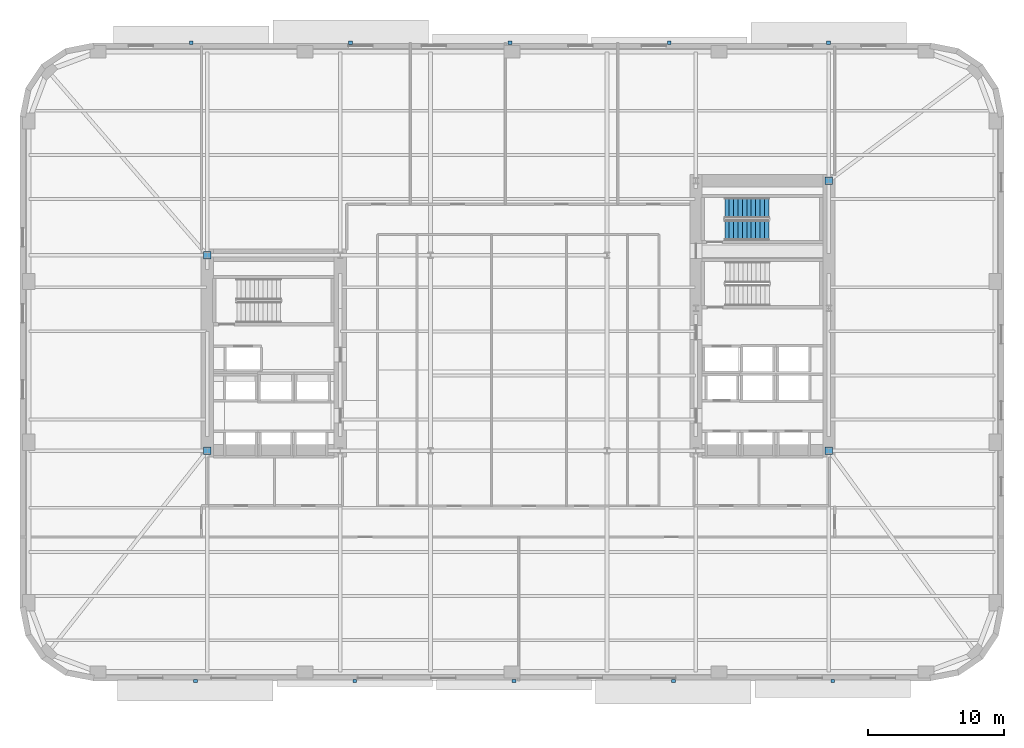
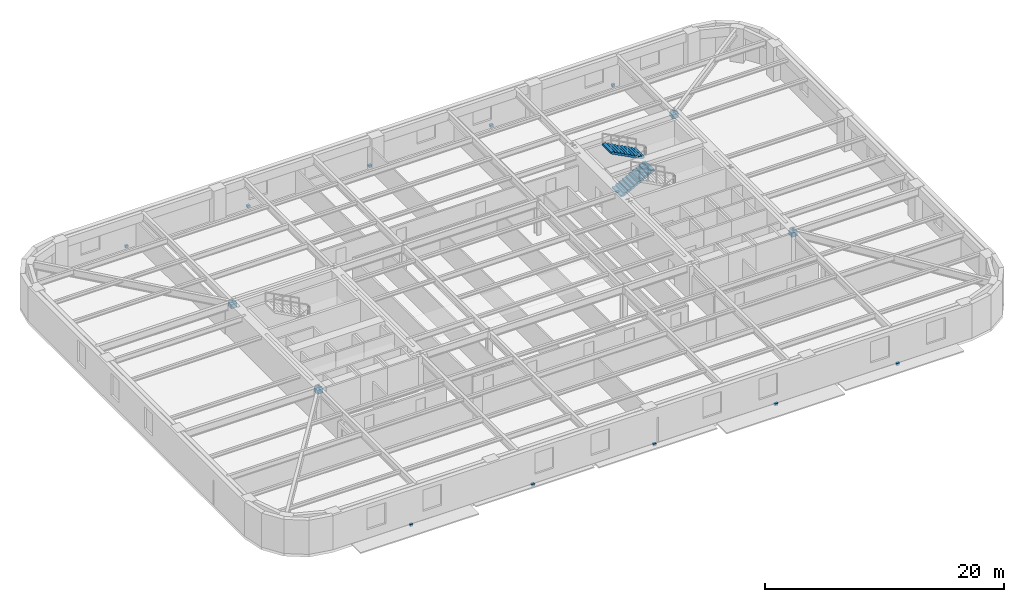
# One storey, part 8 of 14: 14 discrete accessories, 2 stair flights, 1 element without a shape of its own.
"""IFC4 building model written with IfcOpenShell, lengths in metres."""

from ifc_helpers import new_model, si_unit, direction, frame, origin, origin_2d, place, context, subcontext, project, spatial, polyline, rectangle, outline, extrude, material, type_object, element, aggregate, save


model = new_model("IFC4")

# Units and contexts
model_context = context("Model", 3, precision=1e-05, world=origin(), true_north=direction((0.0, 1.0)))
body_context = subcontext(model_context, "Body", "Model", "MODEL_VIEW")
ifc_project = project(units=[si_unit("LENGTHUNIT", "METRE"), si_unit("AREAUNIT", "SQUARE_METRE"), si_unit("VOLUMEUNIT", "CUBIC_METRE"), si_unit("PLANEANGLEUNIT", "RADIAN"), si_unit("MASSUNIT", "GRAM", prefix="KILO")], contexts=[model_context])

# Site, building, storey
site_placement = place(None, origin())
site = spatial("IfcSite", under=ifc_project, at=site_placement, CompositionType="ELEMENT")
building_placement = place(site_placement, origin())
building = spatial("IfcBuilding", under=site, at=building_placement, Name="Kolvaren Arena Tower", CompositionType="ELEMENT")
storey_placement = place(building_placement, frame((0.0, 0.0, 75.75)))
storey = spatial("IfcBuildingStorey", under=building, at=storey_placement, Name="L16", CompositionType="ELEMENT", Elevation=75.75)

# Stair, stair flights
ifc_material_1 = material(Name="Concrete 45 MPa", Category="concrete")
stair_type = type_object("IfcStairType", Name="STAIR-CORE-150", PredefinedType="HALF_TURN_STAIR", material=ifc_material_1)
stair_placement = place(storey_placement, origin())
stair = element("IfcStair", 1, at=stair_placement, inside=storey, type_object=stair_type, Name="L16 ST-E2", PredefinedType="HALF_TURN_STAIR")
stair_flight_type = type_object("IfcStairFlightType", Name="FLT-150", PredefinedType="STRAIGHT", material=ifc_material_1)
stair_flight_1_placement = place(storey_placement, frame((52.679931640625, 35.699951171875, 0.0), z_axis=(0.0, 0.0, 1.0), x_axis=(1.0, 0.0, 0.0)))
stair_flight_1 = element("IfcStairFlight", 2, at=stair_flight_1_placement, type_object=stair_flight_type, Name="ST-E2 flight 1", NumberOfRisers=11, NumberOfTreads=10, PredefinedType="STRAIGHT", RiserHeight=0.170454545, TreadLength=0.324, context=body_context, shape_type="SweptSolid", body=[
    extrude(outline(polyline([(0.0, 0.0), (0.0, 0.17041015625), (0.323974609375, 0.17041015625), (0.323974609375, 0.3408203125), (0.64794921875, 0.3408203125), (0.64794921875, 0.511474609375), (0.971923828125, 0.511474609375), (0.971923828125, 0.681884765625), (1.2958984375, 0.681884765625), (1.2958984375, 0.852294921875), (1.6201171875, 0.852294921875), (1.6201171875, 1.022705078125), (1.944091796875, 1.022705078125), (1.944091796875, 1.193115234375), (2.26806640625, 1.193115234375), (2.26806640625, 1.363525390625), (2.592041015625, 1.363525390625), (2.592041015625, 1.5341796875), (2.916015625, 1.5341796875), (2.916015625, 1.70458984375), (3.239990234375, 1.70458984375), (3.239990234375, 1.875), (3.239990234375, 1.53515625), (0.322021484375, 0.0), (0.0, 0.0)])), frame((0.0, 0.75, 0.0), z_axis=(0.0, -1.0, 0.0), x_axis=(1.0, 0.0, 0.0)), (0.0, 0.0, 1.0), 1.5),
])
stair_flight_2_placement = place(storey_placement, frame((55.919921875, 37.35009765625, 1.875), z_axis=(0.0, 0.0, 1.0), x_axis=(-1.0, 0.0, 0.0)))
stair_flight_2 = element("IfcStairFlight", 3, at=stair_flight_2_placement, type_object=stair_flight_type, Name="ST-E2 flight 2", NumberOfRisers=11, NumberOfTreads=10, PredefinedType="STRAIGHT", RiserHeight=0.170454545, TreadLength=0.324, context=body_context, shape_type="SweptSolid", body=[
    extrude(outline(polyline([(0.0, 0.0), (0.0, 0.17041015625), (0.323974609375, 0.17041015625), (0.323974609375, 0.3408203125), (0.64794921875, 0.3408203125), (0.64794921875, 0.511474609375), (0.971923828125, 0.511474609375), (0.971923828125, 0.681884765625), (1.2958984375, 0.681884765625), (1.2958984375, 0.852294921875), (1.6201171875, 0.852294921875), (1.6201171875, 1.022705078125), (1.944091796875, 1.022705078125), (1.944091796875, 1.193115234375), (2.26806640625, 1.193115234375), (2.26806640625, 1.363525390625), (2.592041015625, 1.363525390625), (2.592041015625, 1.5341796875), (2.916015625, 1.5341796875), (2.916015625, 1.70458984375), (3.239990234375, 1.70458984375), (3.239990234375, 1.875), (3.239990234375, 1.53515625), (0.322021484375, 0.0), (0.0, 0.0)])), frame((0.0, 0.75, 0.0), z_axis=(0.0, -1.0, 0.0), x_axis=(1.0, 0.0, 0.0)), (0.0, 0.0, 1.0), 1.5),
])
aggregate(stair, [stair_flight_1, stair_flight_2])

# Discrete accessories
ifc_material_2 = material(Name="Stainless steel facade support bracket", Category="steel")
discrete_accessory_type_1 = type_object("IfcDiscreteAccessoryType", Name="ACC-BRKT-1", PredefinedType="BRACKET", material=ifc_material_2)
for number, where, z_axis, x_axis, name in (
    (4, (13.3701171875, 49.52001953125, -0.18017578125), (0.0, 0.0, 1.0), (1.0, 0.0, 0.0), "Sunshade Support Bracket (L16)"),
    (5, (25.110107421875, 49.52001953125, -0.18017578125), (0.0, 0.0, 1.0), (1.0, 0.0, 0.0), "Sunshade Support Bracket (L16)"),
    (6, (36.85009765625, 49.52001953125, -0.18017578125), (0.0, 0.0, 1.0), (1.0, 0.0, 0.0), "Sunshade Support Bracket (L16)"),
    (7, (48.590087890625, 49.52001953125, -0.18017578125), (0.0, 0.0, 1.0), (1.0, 0.0, 0.0), "Sunshade Support Bracket (L16)"),
    (8, (60.330078125, 49.52001953125, -0.18017578125), (0.0, 0.0, 1.0), (1.0, 0.0, 0.0), "Sunshade Support Bracket (L16)"),
    (9, (60.6298828125, 2.47998046875, -0.18017578125), (0.0, 0.0, 1.0), (-1.0, 0.0, 0.0), "Sunshade Support Bracket (L16)"),
    (10, (48.889892578125, 2.47998046875, -0.18017578125), (0.0, 0.0, 1.0), (-1.0, 0.0, 0.0), "Sunshade Support Bracket (L16)"),
    (11, (37.14990234375, 2.47998046875, -0.18017578125), (0.0, 0.0, 1.0), (-1.0, 0.0, 0.0), "Sunshade Support Bracket (L16)"),
    (12, (25.409912109375, 2.47998046875, -0.18017578125), (0.0, 0.0, 1.0), (-1.0, 0.0, 0.0), "Sunshade Support Bracket (L16)"),
    (13, (13.669921875, 2.47998046875, -0.18017578125), (0.0, 0.0, 1.0), (-1.0, 0.0, 0.0), "Sunshade Support Bracket (L16)"),
):
    element("IfcDiscreteAccessory", number, at=place(storey_placement, frame(where, z_axis=z_axis, x_axis=x_axis)), inside=storey, type_object=discrete_accessory_type_1, Name=name, PredefinedType="BRACKET", context=body_context, shape_type="SweptSolid", body=[
        extrude(rectangle(XDim=0.280029296875, YDim=0.239990234375, at=origin_2d()), origin(), (0.0, 0.0, 1.0), 0.239990234375),
    ])
ifc_material_3 = material(Name="Steel CSA G40.21 350W bolted gusset connection", Category="steel")
discrete_accessory_type_2 = type_object("IfcDiscreteAccessoryType", Name="ACC-CONN-1", PredefinedType="BRACKET", material=ifc_material_3)
for number, where, z_axis, x_axis, name in (
    (14, (60.35009765625, 19.449951171875, 2.87353515625), (0.0, 0.0, 1.0), (1.0, 0.0, 0.0), "Core Wall Cast-In Embed Plate EP1 (L16)"),
    (15, (60.35009765625, 39.35009765625, 2.87353515625), (0.0, 0.0, 1.0), (1.0, 0.0, 0.0), "Core Wall Cast-In Embed Plate EP1 (L16)"),
    (16, (14.550048828125, 33.85009765625, 2.87353515625), (0.0, 0.0, 1.0), (1.0, 0.0, 0.0), "Core Wall Cast-In Embed Plate EP1 (L16)"),
    (17, (14.550048828125, 19.449951171875, 2.87353515625), (0.0, 0.0, 1.0), (1.0, 0.0, 0.0), "Core Wall Cast-In Embed Plate EP1 (L16)"),
):
    element("IfcDiscreteAccessory", number, at=place(storey_placement, frame(where, z_axis=z_axis, x_axis=x_axis)), inside=storey, type_object=discrete_accessory_type_2, Name=name, PredefinedType="BRACKET", context=body_context, shape_type="SweptSolid", body=[
        extrude(rectangle(XDim=0.56005859375, YDim=0.56005859375, at=origin_2d()), origin(), (0.0, 0.0, 1.0), 0.43994140625),
    ])

save(model, "model.ifc")
